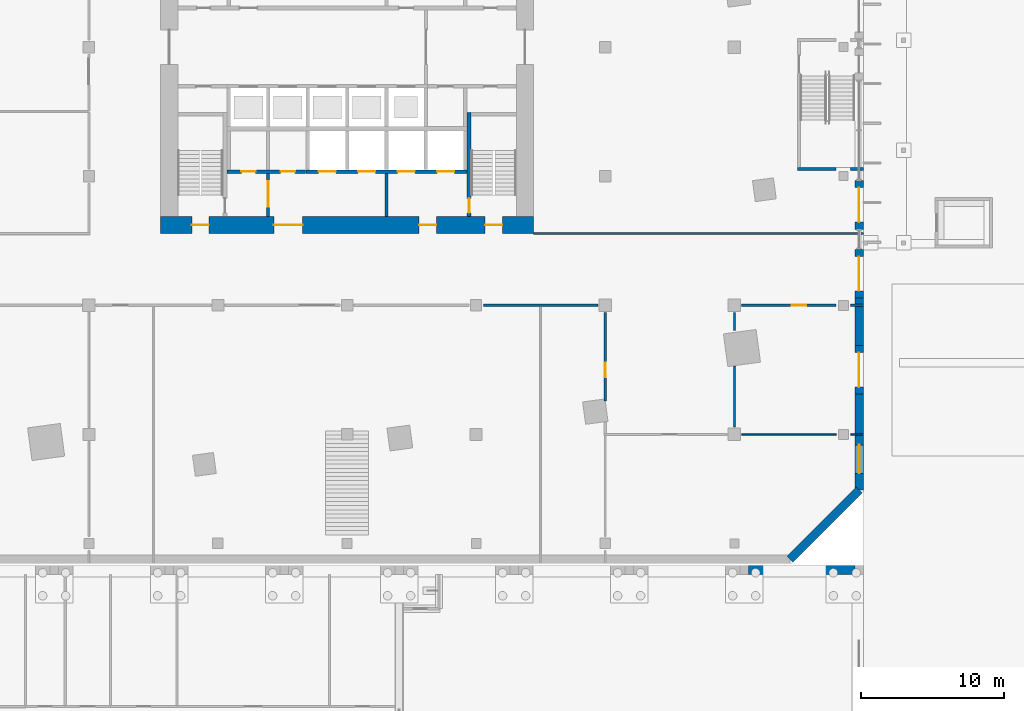
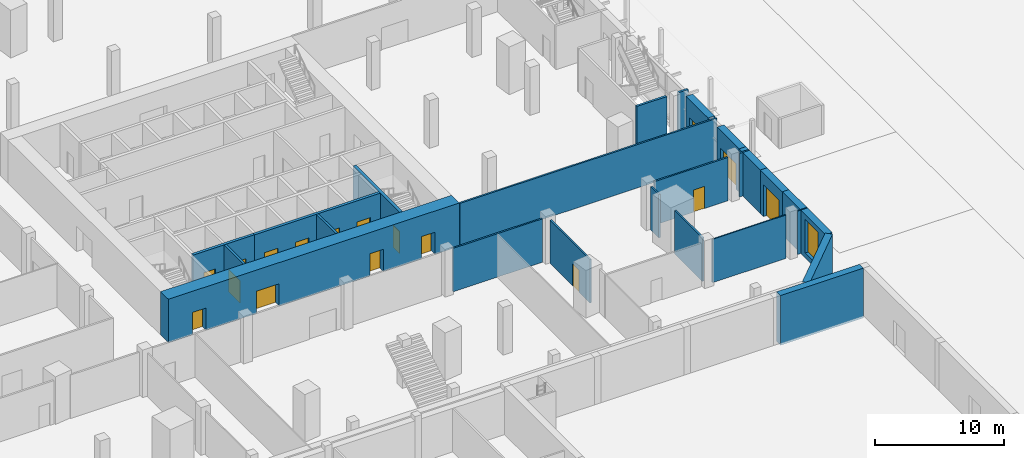
# One storey, part 27 of 42: 24 walls, 17 doors, 1 window, 18 openings.
"""IFC4 building model written with IfcOpenShell, lengths in metres."""

from ifc_helpers import new_model, si_unit, direction, frame, frame_2d, origin, place, context, subcontext, project, spatial, rectangle, extrude, material, layer, layer_set, type_object, element, fill, save


model = new_model("IFC4")

# Units and contexts
model_context = context("Model", 3, precision=1e-05, world=origin(), true_north=direction((0.0, 1.0)))
body_context = subcontext(model_context, "Body", "Model", "MODEL_VIEW")
ifc_project = project(units=[si_unit("LENGTHUNIT", "METRE"), si_unit("AREAUNIT", "SQUARE_METRE"), si_unit("VOLUMEUNIT", "CUBIC_METRE"), si_unit("PLANEANGLEUNIT", "RADIAN"), si_unit("MASSUNIT", "GRAM", prefix="KILO")], contexts=[model_context])

# Site, building, storey
site_placement = place(None, origin())
site = spatial("IfcSite", under=ifc_project, at=site_placement, CompositionType="ELEMENT")
building_placement = place(site_placement, origin())
building = spatial("IfcBuilding", under=site, at=building_placement, Name="Dilmun Exchange Tower", CompositionType="ELEMENT")
storey_placement = place(building_placement, origin())
storey = spatial("IfcBuildingStorey", under=building, at=storey_placement, Name="L00", CompositionType="ELEMENT", Elevation=0.0)

# Wall, opening, door
ifc_material_1 = material(Name="Concrete C40/50", Category="concrete")
ifc_layer_1 = layer(ifc_material_1, 0.199951171875)
ifc_layer_set_1 = layer_set([ifc_layer_1], Name="Concrete C40/50")
wall_type_1 = type_object("IfcWallType", Name="Core partition wall 200", PredefinedType="PARTITIONING", material=ifc_layer_set_1)
wall_1_placement = place(storey_placement, frame((-5.5, -11.794921875, 0.0), z_axis=(0.0, 0.0, 1.0), x_axis=(0.0, 1.0, 0.0)))
wall_1 = element("IfcWall", 1, at=wall_1_placement, inside=storey, type_object=wall_type_1, Name="L00 core partition wall 01", PredefinedType="PARTITIONING", context=body_context, shape_type="SweptSolid", body=[
    extrude(rectangle(XDim=2.989990234375, YDim=0.199951171875, at=frame_2d((1.4951171875, 0.0))), origin(), (0.0, 0.0, 1.0), 4.10009765625),
])
opening_1_placement = place(wall_1_placement, frame((0.657470703125, 0.0, 0.0)))
opening_1 = element("IfcOpeningElement", 2, at=opening_1_placement, cuts=wall_1, Name="Opening CD5", PredefinedType="OPENING", context=body_context, shape_type="SweptSolid", body=[
    extrude(rectangle(XDim=1.800048828125, YDim=2.10009765625, at=frame_2d((0.89990234375, 1.050048828125))), frame((0.0, 0.10986328125, 0.0), z_axis=(0.0, -1.0, 0.0), x_axis=(1.0, 0.0, 0.0)), (0.0, 0.0, 1.0), 0.219970703125),
])
ifc_material_2 = material(Name="Fire-rated steel door set", Category="steel")
door_type_1 = type_object("IfcDoorType", Name="Stair exit door 1800x2100", OperationType="SINGLE_SWING_LEFT", PredefinedType="DOOR", material=ifc_material_2)
door_1_placement = place(opening_1_placement, origin())
door_1 = element("IfcDoor", 3, at=door_1_placement, inside=storey, type_object=door_type_1, Name="L00 door Service lobby east", OperationType="SINGLE_SWING_LEFT", OverallHeight=2.10009765625, OverallWidth=1.800048828125, PredefinedType="DOOR", context=body_context, shape_type="SweptSolid", body=[
    extrude(rectangle(XDim=1.800048828125, YDim=2.10009765625, at=frame_2d((0.89990234375, 1.050048828125))), frame((0.0, 0.02490234375, 0.0), z_axis=(0.0, -1.0, 0.0), x_axis=(1.0, 0.0, 0.0)), (0.0, 0.0, 1.0), 0.050048828125),
])
fill(opening_1, door_1)

# Wall
wall_2_placement = place(storey_placement, frame((2.75, -11.794921875, 0.0), z_axis=(0.0, 0.0, 1.0), x_axis=(0.0, 1.0, 0.0)))
element("IfcWall", 4, at=wall_2_placement, inside=storey, type_object=wall_type_1, Name="L00 core partition wall 02", PredefinedType="PARTITIONING", context=body_context, shape_type="SweptSolid", body=[
    extrude(rectangle(XDim=2.989990234375, YDim=0.199951171875, at=frame_2d((1.4951171875, 0.0))), origin(), (0.0, 0.0, 1.0), 4.10009765625),
])

# Wall, openings, doors
ifc_layer_2 = layer(ifc_material_1, 0.25)
ifc_layer_set_2 = layer_set([ifc_layer_2], Name="Concrete C40/50")
wall_type_2 = type_object("IfcWallType", Name="Core partition wall 250", PredefinedType="PARTITIONING", material=ifc_layer_set_2)
wall_3_placement = place(storey_placement, frame((-8.3701171875, -8.675048828125, 0.0), z_axis=(0.0, 0.0, 1.0), x_axis=(1.0, 0.0, 0.0)))
wall_3 = element("IfcWall", 5, at=wall_3_placement, inside=storey, type_object=wall_type_2, Name="L00 core partition wall 03", PredefinedType="PARTITIONING", context=body_context, shape_type="SweptSolid", body=[
    extrude(rectangle(XDim=5.490234375, YDim=0.25, at=frame_2d((2.7451171875, 0.0))), origin(), (0.0, 0.0, 1.0), 4.10009765625),
])
opening_2_placement = place(wall_3_placement, frame((0.9951171875, 0.0, 0.0)))
opening_2 = element("IfcOpeningElement", 6, at=opening_2_placement, cuts=wall_3, Name="Opening CD4", PredefinedType="OPENING", context=body_context, shape_type="SweptSolid", body=[
    extrude(rectangle(XDim=1.0, YDim=2.10009765625, at=frame_2d((0.5, 1.050048828125))), frame((0.0, 0.135009765625, 0.0), z_axis=(0.0, -1.0, 0.0), x_axis=(1.0, 0.0, 0.0)), (0.0, 0.0, 1.0), 0.27001953125),
])
opening_3_placement = place(wall_3_placement, frame((3.7451171875, 0.0, 0.0)))
opening_3 = element("IfcOpeningElement", 7, at=opening_3_placement, cuts=wall_3, Name="Opening CD4", PredefinedType="OPENING", context=body_context, shape_type="SweptSolid", body=[
    extrude(rectangle(XDim=1.0, YDim=2.10009765625, at=frame_2d((0.5, 1.050048828125))), frame((0.0, 0.135009765625, 0.0), z_axis=(0.0, -1.0, 0.0), x_axis=(1.0, 0.0, 0.0)), (0.0, 0.0, 1.0), 0.27001953125),
])
door_type_2 = type_object("IfcDoorType", Name="Core room door 1000x2100", OperationType="SINGLE_SWING_LEFT", PredefinedType="DOOR", material=ifc_material_2)
door_2_placement = place(opening_2_placement, origin())
door_2 = element("IfcDoor", 8, at=door_2_placement, inside=storey, type_object=door_type_2, Name="L00 door Male WC", OperationType="SINGLE_SWING_LEFT", OverallHeight=2.10009765625, OverallWidth=1.0, PredefinedType="DOOR", context=body_context, shape_type="SweptSolid", body=[
    extrude(rectangle(XDim=1.0, YDim=2.10009765625, at=frame_2d((0.5, 1.050048828125))), frame((0.0, 0.02490234375, 0.0), z_axis=(0.0, -1.0, 0.0), x_axis=(1.0, 0.0, 0.0)), (0.0, 0.0, 1.0), 0.050048828125),
])
fill(opening_2, door_2)
door_3_placement = place(opening_3_placement, origin())
door_3 = element("IfcDoor", 9, at=door_3_placement, inside=storey, type_object=door_type_2, Name="L00 door Female WC", OperationType="SINGLE_SWING_LEFT", OverallHeight=2.10009765625, OverallWidth=1.0, PredefinedType="DOOR", context=body_context, shape_type="SweptSolid", body=[
    extrude(rectangle(XDim=1.0, YDim=2.10009765625, at=frame_2d((0.5, 1.050048828125))), frame((0.0, 0.02490234375, 0.0), z_axis=(0.0, -1.0, 0.0), x_axis=(1.0, 0.0, 0.0)), (0.0, 0.0, 1.0), 0.050048828125),
])
fill(opening_3, door_3)

ifc_material_3 = material(Name="Concrete C80/95", Category="concrete")
ifc_layer_3 = layer(ifc_material_3, 1.199951171875)
ifc_layer_set_3 = layer_set([ifc_layer_3], Name="Concrete C80/95")
wall_type_3 = type_object("IfcWallType", Name="Core shear wall 1200 Concrete C80/95", PredefinedType="SHEAR", material=ifc_layer_set_3)
wall_4_placement = place(storey_placement, frame((-13.0, -12.39990234375, 0.0), z_axis=(0.0, 0.0, 1.0), x_axis=(1.0, 0.0, 0.0)))
wall_4 = element("IfcWall", 10, at=wall_4_placement, inside=storey, type_object=wall_type_3, Name="L00 core shear wall S", PredefinedType="SHEAR", context=body_context, shape_type="SweptSolid", body=[
    extrude(rectangle(XDim=26.0, YDim=1.199951171875, at=frame_2d((13.0, 0.0))), origin(), (0.0, 0.0, 1.0), 4.10009765625),
])
opening_4_placement = place(wall_4_placement, frame((7.89990234375, 0.0, 0.0)))
opening_4 = element("IfcOpeningElement", 11, at=opening_4_placement, cuts=wall_4, Name="Opening CD2", PredefinedType="OPENING", context=body_context, shape_type="SweptSolid", body=[
    extrude(rectangle(XDim=2.0, YDim=2.10009765625, at=frame_2d((1.0, 1.050048828125))), frame((0.0, 0.60986328125, 0.0), z_axis=(0.0, -1.0, 0.0), x_axis=(1.0, 0.0, 0.0)), (0.0, 0.0, 1.0), 1.219970703125),
])
opening_5_placement = place(wall_4_placement, frame((18.02490234375, 0.0, 0.0)))
opening_5 = element("IfcOpeningElement", 12, at=opening_5_placement, cuts=wall_4, Name="Opening CD3", PredefinedType="OPENING", context=body_context, shape_type="SweptSolid", body=[
    extrude(rectangle(XDim=1.199951171875, YDim=2.10009765625, at=frame_2d((0.60009765625, 1.050048828125))), frame((0.0, 0.60986328125, 0.0), z_axis=(0.0, -1.0, 0.0), x_axis=(1.0, 0.0, 0.0)), (0.0, 0.0, 1.0), 1.219970703125),
])
opening_6_placement = place(wall_4_placement, frame((2.175048828125, 0.0, 0.0)))
opening_6 = element("IfcOpeningElement", 13, at=opening_6_placement, cuts=wall_4, Name="Opening CD3", PredefinedType="OPENING", context=body_context, shape_type="SweptSolid", body=[
    extrude(rectangle(XDim=1.199951171875, YDim=2.10009765625, at=frame_2d((0.60009765625, 1.050048828125))), frame((0.0, 0.60986328125, 0.0), z_axis=(0.0, -1.0, 0.0), x_axis=(1.0, 0.0, 0.0)), (0.0, 0.0, 1.0), 1.219970703125),
])
opening_7_placement = place(wall_4_placement, frame((22.625, 0.0, 0.0)))
opening_7 = element("IfcOpeningElement", 14, at=opening_7_placement, cuts=wall_4, Name="Opening CD3", PredefinedType="OPENING", context=body_context, shape_type="SweptSolid", body=[
    extrude(rectangle(XDim=1.199951171875, YDim=2.10009765625, at=frame_2d((0.60009765625, 1.050048828125))), frame((0.0, 0.60986328125, 0.0), z_axis=(0.0, -1.0, 0.0), x_axis=(1.0, 0.0, 0.0)), (0.0, 0.0, 1.0), 1.219970703125),
])
door_type_3 = type_object("IfcDoorType", Name="Core service door 2000x2100", OperationType="DOUBLE_DOOR_DOUBLE_SWING", PredefinedType="DOOR", material=ifc_material_2)
door_4_placement = place(opening_4_placement, origin())
door_4 = element("IfcDoor", 15, at=door_4_placement, inside=storey, type_object=door_type_3, Name="L00 door South service lobby", OperationType="SINGLE_SWING_LEFT", OverallHeight=2.10009765625, OverallWidth=2.0, PredefinedType="DOOR", context=body_context, shape_type="SweptSolid", body=[
    extrude(rectangle(XDim=2.0, YDim=2.10009765625, at=frame_2d((1.0, 1.050048828125))), frame((0.0, 0.02490234375, 0.0), z_axis=(0.0, -1.0, 0.0), x_axis=(1.0, 0.0, 0.0)), (0.0, 0.0, 1.0), 0.050048828125),
])
fill(opening_4, door_4)
door_type_4 = type_object("IfcDoorType", Name="Stair exit door 1200x2100", OperationType="SINGLE_SWING_LEFT", PredefinedType="DOOR", material=ifc_material_2)
door_5_placement = place(opening_5_placement, origin())
door_5 = element("IfcDoor", 16, at=door_5_placement, inside=storey, type_object=door_type_4, Name="L00 door Fire-fighting lobby", OperationType="SINGLE_SWING_LEFT", OverallHeight=2.10009765625, OverallWidth=1.199951171875, PredefinedType="DOOR", context=body_context, shape_type="SweptSolid", body=[
    extrude(rectangle(XDim=1.199951171875, YDim=2.10009765625, at=frame_2d((0.60009765625, 1.050048828125))), frame((0.0, 0.02490234375, 0.0), z_axis=(0.0, -1.0, 0.0), x_axis=(1.0, 0.0, 0.0)), (0.0, 0.0, 1.0), 0.050048828125),
])
fill(opening_5, door_5)
door_6_placement = place(opening_6_placement, origin())
door_6 = element("IfcDoor", 17, at=door_6_placement, inside=storey, type_object=door_type_4, Name="L00 door Stair ST2", OperationType="SINGLE_SWING_LEFT", OverallHeight=2.10009765625, OverallWidth=1.199951171875, PredefinedType="DOOR", context=body_context, shape_type="SweptSolid", body=[
    extrude(rectangle(XDim=1.199951171875, YDim=2.10009765625, at=frame_2d((0.60009765625, 1.050048828125))), frame((0.0, 0.02490234375, 0.0), z_axis=(0.0, -1.0, 0.0), x_axis=(1.0, 0.0, 0.0)), (0.0, 0.0, 1.0), 0.050048828125),
])
fill(opening_6, door_6)
door_7_placement = place(opening_7_placement, origin())
door_7 = element("IfcDoor", 18, at=door_7_placement, inside=storey, type_object=door_type_4, Name="L00 door Stair ST3", OperationType="SINGLE_SWING_LEFT", OverallHeight=2.10009765625, OverallWidth=1.199951171875, PredefinedType="DOOR", context=body_context, shape_type="SweptSolid", body=[
    extrude(rectangle(XDim=1.199951171875, YDim=2.10009765625, at=frame_2d((0.60009765625, 1.050048828125))), frame((0.0, 0.02490234375, 0.0), z_axis=(0.0, -1.0, 0.0), x_axis=(1.0, 0.0, 0.0)), (0.0, 0.0, 1.0), 0.050048828125),
])
fill(opening_7, door_7)

# Wall
ifc_material_4 = material(Name="Fire partition EI 60 150 gypsum")
ifc_layer_4 = layer(ifc_material_4, 0.14990234375)
ifc_layer_set_4 = layer_set([ifc_layer_4], Name="Fire partition EI 60 150 gypsum")
wall_type_4 = type_object("IfcWallType", Name="Fire partition EI 60 150 gypsum", PredefinedType="PARTITIONING", material=ifc_layer_set_4)
wall_5_placement = place(storey_placement, frame((9.5, -18.0, 0.0), z_axis=(0.0, 0.0, 1.0), x_axis=(1.0, 0.0, 0.0)))
element("IfcWall", 19, at=wall_5_placement, inside=storey, type_object=wall_type_4, Name="L00 partition", PredefinedType="PARTITIONING", context=body_context, shape_type="SweptSolid", body=[
    extrude(rectangle(XDim=8.0, YDim=0.14990234375, at=frame_2d((4.0, 0.0))), origin(), (0.0, 0.0, 1.0), 4.10009765625),
])

# Wall, opening, door
wall_6_placement = place(storey_placement, frame((27.5, -18.0, 0.0), z_axis=(0.0, 0.0, 1.0), x_axis=(1.0, 0.0, 0.0)))
wall_6 = element("IfcWall", 20, at=wall_6_placement, inside=storey, type_object=wall_type_4, Name="L00 partition", PredefinedType="PARTITIONING", context=body_context, shape_type="SweptSolid", body=[
    extrude(rectangle(XDim=6.60009765625, YDim=0.14990234375, at=frame_2d((3.300048828125, 0.0))), origin(), (0.0, 0.0, 1.0), 4.10009765625),
])
opening_8_placement = place(wall_6_placement, frame((3.5, 0.0, 0.0)))
opening_8 = element("IfcOpeningElement", 21, at=opening_8_placement, cuts=wall_6, Name="Opening L00-D020", PredefinedType="OPENING", context=body_context, shape_type="SweptSolid", body=[
    extrude(rectangle(XDim=1.0, YDim=2.10009765625, at=frame_2d((0.5, 1.050048828125))), frame((0.0, 0.0849609375, 0.0), z_axis=(0.0, -1.0, 0.0), x_axis=(1.0, 0.0, 0.0)), (0.0, 0.0, 1.0), 0.169921875),
])
ifc_material_5 = material(Name="Fire door FD60 1000 x 2100")
door_type_5 = type_object("IfcDoorType", Name="Fire door FD60 1000 x 2100", OperationType="SINGLE_SWING_LEFT", PredefinedType="DOOR", material=ifc_material_5)
door_8_placement = place(opening_8_placement, origin())
door_8 = element("IfcDoor", 22, at=door_8_placement, inside=storey, type_object=door_type_5, Name="L00 door L00-D020", OperationType="SINGLE_SWING_RIGHT", OverallHeight=2.10009765625, OverallWidth=1.0, PredefinedType="DOOR", context=body_context, shape_type="SweptSolid", body=[
    extrude(rectangle(XDim=1.0, YDim=2.10009765625, at=frame_2d((0.5, 1.050048828125))), frame((0.0, 0.02490234375, 0.0), z_axis=(0.0, -1.0, 0.0), x_axis=(1.0, 0.0, 0.0)), (0.0, 0.0, 1.0), 0.050048828125),
])
fill(opening_8, door_8)

# Walls
wall_7_placement = place(storey_placement, frame((35.10009765625, -18.0, 0.0), z_axis=(0.0, 0.0, 1.0), x_axis=(1.0, 0.0, 0.0)))
element("IfcWall", 23, at=wall_7_placement, inside=storey, type_object=wall_type_4, Name="L00 partition", PredefinedType="PARTITIONING", context=body_context, shape_type="SweptSolid", body=[
    extrude(rectangle(XDim=0.89990234375, YDim=0.14990234375, at=frame_2d((0.449951171875, 0.0))), origin(), (0.0, 0.0, 1.0), 4.10009765625),
])
wall_8_placement = place(storey_placement, frame((13.0, -13.0, 0.0), z_axis=(0.0, 0.0, 1.0), x_axis=(1.0, 0.0, 0.0)))
element("IfcWall", 24, at=wall_8_placement, inside=storey, type_object=wall_type_4, Name="L00 partition", PredefinedType="PARTITIONING", context=body_context, shape_type="SweptSolid", body=[
    extrude(rectangle(XDim=23.0, YDim=0.14990234375, at=frame_2d((11.5, 0.0))), origin(), (0.0, 0.0, 1.0), 4.10009765625),
])

# Wall, opening, door
wall_9_placement = place(storey_placement, frame((18.0, -24.680908203125, 0.0), z_axis=(0.0, 0.0, 1.0), x_axis=(0.0, 1.0, 0.0)))
wall_9 = element("IfcWall", 25, at=wall_9_placement, inside=storey, type_object=wall_type_4, Name="L00 partition", PredefinedType="PARTITIONING", context=body_context, shape_type="SweptSolid", body=[
    extrude(rectangle(XDim=6.180908203125, YDim=0.14990234375, at=frame_2d((3.09033203125, 0.0))), origin(), (0.0, 0.0, 1.0), 4.10009765625),
])
opening_9_placement = place(wall_9_placement, frame((1.680908203125, 0.0, 0.0)))
opening_9 = element("IfcOpeningElement", 26, at=opening_9_placement, cuts=wall_9, Name="Opening L00-D018", PredefinedType="OPENING", context=body_context, shape_type="SweptSolid", body=[
    extrude(rectangle(XDim=1.0, YDim=2.10009765625, at=frame_2d((0.5, 1.050048828125))), frame((0.0, 0.0849609375, 0.0), z_axis=(0.0, -1.0, 0.0), x_axis=(1.0, 0.0, 0.0)), (0.0, 0.0, 1.0), 0.169921875),
])
door_9_placement = place(opening_9_placement, origin())
door_9 = element("IfcDoor", 27, at=door_9_placement, inside=storey, type_object=door_type_5, Name="L00 door L00-D018", OperationType="SINGLE_SWING_RIGHT", OverallHeight=2.10009765625, OverallWidth=1.0, PredefinedType="DOOR", context=body_context, shape_type="SweptSolid", body=[
    extrude(rectangle(XDim=1.0, YDim=2.10009765625, at=frame_2d((0.5, 1.050048828125))), frame((0.0, 0.02490234375, 0.0), z_axis=(0.0, -1.0, 0.0), x_axis=(1.0, 0.0, 0.0)), (0.0, 0.0, 1.0), 0.050048828125),
])
fill(opening_9, door_9)

# Walls
wall_10_placement = place(storey_placement, frame((27.0, -26.5, 0.0), z_axis=(0.0, 0.0, 1.0), x_axis=(0.0, 1.0, 0.0)))
element("IfcWall", 28, at=wall_10_placement, inside=storey, type_object=wall_type_4, Name="L00 partition", PredefinedType="PARTITIONING", context=body_context, shape_type="SweptSolid", body=[
    extrude(rectangle(XDim=4.28369140625, YDim=0.14990234375, at=frame_2d((2.141845703125, 0.0))), origin(), (0.0, 0.0, 1.0), 4.10009765625),
])
wall_11_placement = place(storey_placement, frame((27.0, -19.74169921875, 0.0), z_axis=(0.0, 0.0, 1.0), x_axis=(0.0, 1.0, 0.0)))
element("IfcWall", 29, at=wall_11_placement, inside=storey, type_object=wall_type_4, Name="L00 partition", PredefinedType="PARTITIONING", context=body_context, shape_type="SweptSolid", body=[
    extrude(rectangle(XDim=1.24169921875, YDim=0.14990234375, at=frame_2d((0.620849609375, 0.0))), origin(), (0.0, 0.0, 1.0), 4.10009765625),
])
ifc_material_6 = material(Name="Fire wall EI 120 200 blockwork", Category="masonry")
ifc_layer_5 = layer(ifc_material_6, 0.199951171875)
ifc_layer_set_5 = layer_set([ifc_layer_5], Name="Fire wall EI 120 200 blockwork")
wall_type_5 = type_object("IfcWallType", Name="Fire wall EI 120 200 blockwork", PredefinedType="PARTITIONING", material=ifc_layer_set_5)
wall_12_placement = place(storey_placement, frame((31.39990234375, -8.5, 0.0), z_axis=(0.0, 0.0, 1.0), x_axis=(1.0, 0.0, 0.0)))
element("IfcWall", 30, at=wall_12_placement, inside=storey, type_object=wall_type_5, Name="L00 stair wall", PredefinedType="PARTITIONING", context=body_context, shape_type="SweptSolid", body=[
    extrude(rectangle(XDim=2.7001953125, YDim=0.199951171875, at=frame_2d((1.35009765625, 0.0))), origin(), (0.0, 0.0, 1.0), 4.10009765625),
])
wall_13_placement = place(storey_placement, frame((35.10009765625, -8.5, 0.0), z_axis=(0.0, 0.0, 1.0), x_axis=(1.0, 0.0, 0.0)))
element("IfcWall", 31, at=wall_13_placement, inside=storey, type_object=wall_type_5, Name="L00 stair wall", PredefinedType="PARTITIONING", context=body_context, shape_type="SweptSolid", body=[
    extrude(rectangle(XDim=0.89990234375, YDim=0.199951171875, at=frame_2d((0.449951171875, 0.0))), origin(), (0.0, 0.0, 1.0), 4.10009765625),
])

# Wall, openings, doors
ifc_layer_6 = layer(ifc_material_1, 0.25)
ifc_layer_set_6 = layer_set([ifc_layer_6], Name="Concrete C40/50")
wall_type_6 = type_object("IfcWallType", Name="Lift shaft wall 250", PredefinedType="SOLIDWALL", material=ifc_layer_set_6)
wall_14_placement = place(storey_placement, frame((-2.875, -8.675048828125, 0.0), z_axis=(0.0, 0.0, 1.0), x_axis=(1.0, 0.0, 0.0)))
wall_14 = element("IfcWall", 32, at=wall_14_placement, inside=storey, type_object=wall_type_6, Name="L00 lift shaft front wall S2", PredefinedType="SOLIDWALL", context=body_context, shape_type="SweptSolid", body=[
    extrude(rectangle(XDim=11.25, YDim=0.25, at=frame_2d((5.625, 0.0))), origin(), (0.0, 0.0, 1.0), 4.10009765625),
])
opening_10_placement = place(wall_14_placement, frame((0.89990234375, 0.0, 0.0)))
opening_10 = element("IfcOpeningElement", 33, at=opening_10_placement, cuts=wall_14, Name="Opening LD", PredefinedType="OPENING", context=body_context, shape_type="SweptSolid", body=[
    extrude(rectangle(XDim=1.199951171875, YDim=2.10009765625, at=frame_2d((0.60009765625, 1.050048828125))), frame((0.0, 0.135009765625, 0.0), z_axis=(0.0, -1.0, 0.0), x_axis=(1.0, 0.0, 0.0)), (0.0, 0.0, 1.0), 0.27001953125),
])
opening_11_placement = place(wall_14_placement, frame((3.64990234375, 0.0, 0.0)))
opening_11 = element("IfcOpeningElement", 34, at=opening_11_placement, cuts=wall_14, Name="Opening LD", PredefinedType="OPENING", context=body_context, shape_type="SweptSolid", body=[
    extrude(rectangle(XDim=1.199951171875, YDim=2.10009765625, at=frame_2d((0.60009765625, 1.050048828125))), frame((0.0, 0.135009765625, 0.0), z_axis=(0.0, -1.0, 0.0), x_axis=(1.0, 0.0, 0.0)), (0.0, 0.0, 1.0), 0.27001953125),
])
opening_12_placement = place(wall_14_placement, frame((6.39990234375, 0.0, 0.0)))
opening_12 = element("IfcOpeningElement", 35, at=opening_12_placement, cuts=wall_14, Name="Opening LD", PredefinedType="OPENING", context=body_context, shape_type="SweptSolid", body=[
    extrude(rectangle(XDim=1.199951171875, YDim=2.10009765625, at=frame_2d((0.60009765625, 1.050048828125))), frame((0.0, 0.135009765625, 0.0), z_axis=(0.0, -1.0, 0.0), x_axis=(1.0, 0.0, 0.0)), (0.0, 0.0, 1.0), 0.27001953125),
])
opening_13_placement = place(wall_14_placement, frame((9.14990234375, 0.0, 0.0)))
opening_13 = element("IfcOpeningElement", 36, at=opening_13_placement, cuts=wall_14, Name="Opening LD", PredefinedType="OPENING", context=body_context, shape_type="SweptSolid", body=[
    extrude(rectangle(XDim=1.199951171875, YDim=2.10009765625, at=frame_2d((0.60009765625, 1.050048828125))), frame((0.0, 0.135009765625, 0.0), z_axis=(0.0, -1.0, 0.0), x_axis=(1.0, 0.0, 0.0)), (0.0, 0.0, 1.0), 0.27001953125),
])
door_type_6 = type_object("IfcDoorType", Name="Lift landing door 1200x2100", OperationType="DOUBLE_DOOR_SLIDING", PredefinedType="DOOR", material=ifc_material_2)
door_10_placement = place(opening_10_placement, origin())
door_10 = element("IfcDoor", 37, at=door_10_placement, inside=storey, type_object=door_type_6, Name="L00 landing door SV1", OperationType="DOUBLE_DOOR_SLIDING", OverallHeight=2.10009765625, OverallWidth=1.199951171875, PredefinedType="DOOR", context=body_context, shape_type="SweptSolid", body=[
    extrude(rectangle(XDim=1.199951171875, YDim=2.10009765625, at=frame_2d((0.60009765625, 1.050048828125))), frame((0.0, 0.02490234375, 0.0), z_axis=(0.0, -1.0, 0.0), x_axis=(1.0, 0.0, 0.0)), (0.0, 0.0, 1.0), 0.050048828125),
])
fill(opening_10, door_10)
door_11_placement = place(opening_11_placement, origin())
door_11 = element("IfcDoor", 38, at=door_11_placement, inside=storey, type_object=door_type_6, Name="L00 landing door SV2", OperationType="DOUBLE_DOOR_SLIDING", OverallHeight=2.10009765625, OverallWidth=1.199951171875, PredefinedType="DOOR", context=body_context, shape_type="SweptSolid", body=[
    extrude(rectangle(XDim=1.199951171875, YDim=2.10009765625, at=frame_2d((0.60009765625, 1.050048828125))), frame((0.0, 0.02490234375, 0.0), z_axis=(0.0, -1.0, 0.0), x_axis=(1.0, 0.0, 0.0)), (0.0, 0.0, 1.0), 0.050048828125),
])
fill(opening_11, door_11)
door_12_placement = place(opening_12_placement, origin())
door_12 = element("IfcDoor", 39, at=door_12_placement, inside=storey, type_object=door_type_6, Name="L00 landing door FF1", OperationType="DOUBLE_DOOR_SLIDING", OverallHeight=2.10009765625, OverallWidth=1.199951171875, PredefinedType="DOOR", context=body_context, shape_type="SweptSolid", body=[
    extrude(rectangle(XDim=1.199951171875, YDim=2.10009765625, at=frame_2d((0.60009765625, 1.050048828125))), frame((0.0, 0.02490234375, 0.0), z_axis=(0.0, -1.0, 0.0), x_axis=(1.0, 0.0, 0.0)), (0.0, 0.0, 1.0), 0.050048828125),
])
fill(opening_12, door_12)
door_13_placement = place(opening_13_placement, origin())
door_13 = element("IfcDoor", 40, at=door_13_placement, inside=storey, type_object=door_type_6, Name="L00 landing door FF2", OperationType="DOUBLE_DOOR_SLIDING", OverallHeight=2.10009765625, OverallWidth=1.199951171875, PredefinedType="DOOR", context=body_context, shape_type="SweptSolid", body=[
    extrude(rectangle(XDim=1.199951171875, YDim=2.10009765625, at=frame_2d((0.60009765625, 1.050048828125))), frame((0.0, 0.02490234375, 0.0), z_axis=(0.0, -1.0, 0.0), x_axis=(1.0, 0.0, 0.0)), (0.0, 0.0, 1.0), 0.050048828125),
])
fill(opening_13, door_13)

# Walls
ifc_material_7 = material(Name="Partition 100 gypsum")
ifc_layer_7 = layer(ifc_material_7, 0.10009765625)
ifc_layer_set_7 = layer_set([ifc_layer_7], Name="Partition 100 gypsum")
wall_type_7 = type_object("IfcWallType", Name="Partition 100 gypsum", PredefinedType="PARTITIONING", material=ifc_layer_set_7)
wall_15_placement = place(storey_placement, frame((27.5, -27.0, 0.0), z_axis=(0.0, 0.0, 1.0), x_axis=(1.0, 0.0, 0.0)))
element("IfcWall", 41, at=wall_15_placement, inside=storey, type_object=wall_type_7, Name="L00 partition", PredefinedType="PARTITIONING", context=body_context, shape_type="SweptSolid", body=[
    extrude(rectangle(XDim=6.60009765625, YDim=0.10009765625, at=frame_2d((3.300048828125, 0.0))), origin(), (0.0, 0.0, 1.0), 4.10009765625),
])
wall_16_placement = place(storey_placement, frame((35.10009765625, -27.0, 0.0), z_axis=(0.0, 0.0, 1.0), x_axis=(1.0, 0.0, 0.0)))
element("IfcWall", 42, at=wall_16_placement, inside=storey, type_object=wall_type_7, Name="L00 partition", PredefinedType="PARTITIONING", context=body_context, shape_type="SweptSolid", body=[
    extrude(rectangle(XDim=0.89990234375, YDim=0.10009765625, at=frame_2d((0.449951171875, 0.0))), origin(), (0.0, 0.0, 1.0), 4.10009765625),
])
ifc_material_8 = material(Name="Precast concrete C50/60", Category="concrete")
ifc_layer_8 = layer(ifc_material_8, 0.60009765625)
ifc_layer_set_8 = layer_set([ifc_layer_8], Name="Precast concrete C50/60")
wall_type_8 = type_object("IfcWallType", Name="Precast stone-clad wall 600", PredefinedType="STANDARD", material=ifc_layer_set_8)
wall_17_placement = place(storey_placement, frame((30.875732421875, -35.699951171875, 0.0), z_axis=(0.0, 0.0, 1.0), x_axis=(0.707106781187, 0.707106781187, 0.0)))
element("IfcWall", 43, at=wall_17_placement, inside=storey, type_object=wall_type_8, Name="Facade wall L00-01-0", PredefinedType="STANDARD", context=body_context, shape_type="SweptSolid", body=[
    extrude(rectangle(XDim=6.822509765625, YDim=0.60009765625, at=frame_2d((3.4111328125, 0.0))), origin(), (0.0, 0.0, 1.0), 4.10009765625),
])

# Wall, opening, window
wall_18_placement = place(storey_placement, frame((35.699951171875, -30.875732421875, 0.0), z_axis=(0.0, 0.0, 1.0), x_axis=(0.0, 1.0, 0.0)))
wall_18 = element("IfcWall", 44, at=wall_18_placement, inside=storey, type_object=wall_type_8, Name="Facade wall L00-02-0", PredefinedType="STANDARD", context=body_context, shape_type="SweptSolid", body=[
    extrude(rectangle(XDim=6.67578125, YDim=0.60009765625, at=frame_2d((3.337890625, 0.0))), origin(), (0.0, 0.0, 1.0), 4.10009765625),
])
opening_14_placement = place(wall_18_placement, frame((1.152099609375, 0.0, 0.449951171875)))
opening_14 = element("IfcOpeningElement", 45, at=opening_14_placement, cuts=wall_18, Name="Opening SF200-320", PredefinedType="OPENING", context=body_context, shape_type="SweptSolid", body=[
    extrude(rectangle(XDim=2.0, YDim=3.199951171875, at=frame_2d((1.0, 1.60009765625))), frame((0.0, 0.31005859375, 0.0), z_axis=(0.0, -1.0, 0.0), x_axis=(1.0, 0.0, 0.0)), (0.0, 0.0, 1.0), 0.6201171875),
])
ifc_material_9 = material(Name="Clear low-emissivity glass in aluminium frame", Category="aluminium")
window_type = type_object("IfcWindowType", Name="Shopfront window 2000 x 3200", PartitioningType="DOUBLE_PANEL_VERTICAL", PredefinedType="WINDOW", material=ifc_material_9)
window_placement = place(opening_14_placement, origin())
window = element("IfcWindow", 46, at=window_placement, inside=storey, type_object=window_type, Name="Window 3.1", OverallHeight=3.199951171875, OverallWidth=2.0, PartitioningType="SINGLE_PANEL", PredefinedType="WINDOW", context=body_context, shape_type="SweptSolid", body=[
    extrude(rectangle(XDim=2.0, YDim=3.199951171875, at=frame_2d((1.0, 1.60009765625))), frame((0.0, 0.030029296875, 0.0), z_axis=(0.0, -1.0, 0.0), x_axis=(1.0, 0.0, 0.0)), (0.0, 0.0, 1.0), 0.06005859375),
])
fill(opening_14, window)

# Wall, opening, door
wall_19_placement = place(storey_placement, frame((35.699951171875, -24.199951171875, 0.0), z_axis=(0.0, 0.0, 1.0), x_axis=(0.0, 1.0, 0.0)))
wall_19 = element("IfcWall", 47, at=wall_19_placement, inside=storey, type_object=wall_type_8, Name="Facade wall L00-02-1", PredefinedType="STANDARD", context=body_context, shape_type="SweptSolid", body=[
    extrude(rectangle(XDim=3.39990234375, YDim=0.60009765625, at=frame_2d((1.699951171875, 0.0))), origin(), (0.0, 0.0, 1.0), 4.10009765625),
])
opening_15_placement = place(wall_19_placement, frame((0.5, 0.0, 0.0)))
opening_15 = element("IfcOpeningElement", 48, at=opening_15_placement, cuts=wall_19, Name="Opening RS1", PredefinedType="OPENING", context=body_context, shape_type="SweptSolid", body=[
    extrude(rectangle(XDim=2.39990234375, YDim=3.0, at=frame_2d((1.199951171875, 1.5))), frame((0.0, 0.31005859375, 0.0), z_axis=(0.0, -1.0, 0.0), x_axis=(1.0, 0.0, 0.0)), (0.0, 0.0, 1.0), 0.6201171875),
])
door_type_7 = type_object("IfcDoorType", Name="Roller shutter service door 2400 x 3000", OperationType="ROLLINGUP", PredefinedType="DOOR", material=ifc_material_9)
door_14_placement = place(opening_15_placement, origin())
door_14 = element("IfcDoor", 49, at=door_14_placement, inside=storey, type_object=door_type_7, Name="Door X-GR service", OperationType="ROLLINGUP", OverallHeight=3.0, OverallWidth=2.39990234375, PredefinedType="DOOR", context=body_context, shape_type="SweptSolid", body=[
    extrude(rectangle(XDim=2.39990234375, YDim=3.0, at=frame_2d((1.199951171875, 1.5))), frame((0.0, 0.02490234375, 0.0), z_axis=(0.0, -1.0, 0.0), x_axis=(1.0, 0.0, 0.0)), (0.0, 0.0, 1.0), 0.050048828125),
])
fill(opening_15, door_14)

# Wall
wall_20_placement = place(storey_placement, frame((35.699951171875, -20.800048828125, 0.0), z_axis=(0.0, 0.0, 1.0), x_axis=(0.0, 1.0, 0.0)))
element("IfcWall", 50, at=wall_20_placement, inside=storey, type_object=wall_type_8, Name="Facade wall L00-02-2", PredefinedType="STANDARD", context=body_context, shape_type="SweptSolid", body=[
    extrude(rectangle(XDim=3.300048828125, YDim=0.60009765625, at=frame_2d((1.64990234375, 0.0))), origin(), (0.0, 0.0, 1.0), 4.10009765625),
])

# Wall, opening, door
wall_21_placement = place(storey_placement, frame((35.699951171875, -14.10009765625, 0.0), z_axis=(0.0, 0.0, 1.0), x_axis=(0.0, -1.0, 0.0)))
wall_21 = element("IfcWall", 51, at=wall_21_placement, inside=storey, type_object=wall_type_8, Name="Facade wall L00-02-3", PredefinedType="STANDARD", context=body_context, shape_type="SweptSolid", body=[
    extrude(rectangle(XDim=3.39990234375, YDim=0.60009765625, at=frame_2d((1.699951171875, 0.0))), origin(), (0.0, 0.0, 1.0), 4.10009765625),
])
opening_16_placement = place(wall_21_placement, frame((0.5, 0.0, 0.0)))
opening_16 = element("IfcOpeningElement", 52, at=opening_16_placement, cuts=wall_21, Name="Opening XD2", PredefinedType="OPENING", context=body_context, shape_type="SweptSolid", body=[
    extrude(rectangle(XDim=2.39990234375, YDim=2.39990234375, at=frame_2d((1.199951171875, 1.199951171875))), frame((0.0, 0.31005859375, 0.0), z_axis=(0.0, -1.0, 0.0), x_axis=(1.0, 0.0, 0.0)), (0.0, 0.0, 1.0), 0.6201171875),
])
door_type_8 = type_object("IfcDoorType", Name="Glazed exit door pair 2400 x 2400", OperationType="DOUBLE_DOOR_SINGLE_SWING", PredefinedType="DOOR", material=ifc_material_9)
door_15_placement = place(opening_16_placement, origin())
door_15 = element("IfcDoor", 53, at=door_15_placement, inside=storey, type_object=door_type_8, Name="Door X-GS stair discharge", OperationType="DOUBLE_DOOR_SINGLE_SWING", OverallHeight=2.39990234375, OverallWidth=2.39990234375, PredefinedType="DOOR", context=body_context, shape_type="SweptSolid", body=[
    extrude(rectangle(XDim=2.39990234375, YDim=2.39990234375, at=frame_2d((1.199951171875, 1.199951171875))), frame((0.0, 0.02490234375, 0.0), z_axis=(0.0, -1.0, 0.0), x_axis=(1.0, 0.0, 0.0)), (0.0, 0.0, 1.0), 0.050048828125),
])
fill(opening_16, door_15)

wall_22_placement = place(storey_placement, frame((35.699951171875, -9.300048828125, 0.0), z_axis=(0.0, 0.0, 1.0), x_axis=(0.0, -1.0, 0.0)))
wall_22 = element("IfcWall", 54, at=wall_22_placement, inside=storey, type_object=wall_type_8, Name="Facade wall L00-02-5", PredefinedType="STANDARD", context=body_context, shape_type="SweptSolid", body=[
    extrude(rectangle(XDim=3.39990234375, YDim=0.60009765625, at=frame_2d((1.699951171875, 0.0))), origin(), (0.0, 0.0, 1.0), 4.10009765625),
])
opening_17_placement = place(wall_22_placement, frame((0.5, 0.0, 0.0)))
opening_17 = element("IfcOpeningElement", 55, at=opening_17_placement, cuts=wall_22, Name="Opening ED1", PredefinedType="OPENING", context=body_context, shape_type="SweptSolid", body=[
    extrude(rectangle(XDim=2.39990234375, YDim=2.39990234375, at=frame_2d((1.199951171875, 1.199951171875))), frame((0.0, 0.31005859375, 0.0), z_axis=(0.0, -1.0, 0.0), x_axis=(1.0, 0.0, 0.0)), (0.0, 0.0, 1.0), 0.6201171875),
])
door_type_9 = type_object("IfcDoorType", Name="Glazed entrance door pair 2400 x 2400", OperationType="DOUBLE_DOOR_SINGLE_SWING", PredefinedType="DOOR", material=ifc_material_9)
door_16_placement = place(opening_17_placement, origin())
door_16 = element("IfcDoor", 56, at=door_16_placement, inside=storey, type_object=door_type_9, Name="Door X-EL-2 entrance", OperationType="DOUBLE_DOOR_SINGLE_SWING", OverallHeight=2.39990234375, OverallWidth=2.39990234375, PredefinedType="DOOR", context=body_context, shape_type="SweptSolid", body=[
    extrude(rectangle(XDim=2.39990234375, YDim=2.39990234375, at=frame_2d((1.199951171875, 1.199951171875))), frame((0.0, 0.02490234375, 0.0), z_axis=(0.0, -1.0, 0.0), x_axis=(1.0, 0.0, 0.0)), (0.0, 0.0, 1.0), 0.050048828125),
])
fill(opening_17, door_16)

# Wall
ifc_layer_9 = layer(ifc_material_1, 0.60009765625)
ifc_layer_set_9 = layer_set([ifc_layer_9], Name="Concrete C40/50")
wall_type_9 = type_object("IfcWallType", Name="School sports hall wall 600 C40/50", PredefinedType="SOLIDWALL", material=ifc_layer_set_9)
wall_23_placement = place(storey_placement, frame((27.9833984375, -36.449951171875, -0.199951171875), z_axis=(0.0, 0.0, 1.0), x_axis=(1.0, 0.0, 0.0)))
element("IfcWall", 57, at=wall_23_placement, inside=storey, type_object=wall_type_9, Name="School external wall", PredefinedType="SOLIDWALL", context=body_context, shape_type="SweptSolid", body=[
    extrude(rectangle(XDim=7.41650390625, YDim=0.60009765625, at=frame_2d((3.708251953125, 0.0))), origin(), (0.0, 0.0, 1.0), 4.699951171875),
])

# Wall, opening, door
ifc_layer_10 = layer(ifc_material_1, 0.27490234375)
ifc_layer_set_10 = layer_set([ifc_layer_10], Name="Concrete C40/50")
wall_type_10 = type_object("IfcWallType", Name="Stair wall 275", PredefinedType="SOLIDWALL", material=ifc_layer_set_10)
wall_24_placement = place(storey_placement, frame((8.512451171875, -4.550048828125, 0.0), z_axis=(0.0, 0.0, 1.0), x_axis=(0.0, -1.0, 0.0)))
wall_24 = element("IfcWall", 58, at=wall_24_placement, inside=storey, type_object=wall_type_10, Name="L00 ST3 wall to lift block", PredefinedType="SOLIDWALL", context=body_context, shape_type="SweptSolid", body=[
    extrude(rectangle(XDim=7.25, YDim=0.27490234375, at=frame_2d((3.625, 0.0))), origin(), (0.0, 0.0, 1.0), 4.10009765625),
])
opening_18_placement = place(wall_24_placement, frame((6.0, 0.0, 0.0)))
opening_18 = element("IfcOpeningElement", 59, at=opening_18_placement, cuts=wall_24, Name="Opening CD4", PredefinedType="OPENING", context=body_context, shape_type="SweptSolid", body=[
    extrude(rectangle(XDim=1.0, YDim=2.10009765625, at=frame_2d((0.5, 1.050048828125))), frame((0.0, 0.1474609375, 0.0), z_axis=(0.0, -1.0, 0.0), x_axis=(1.0, 0.0, 0.0)), (0.0, 0.0, 1.0), 0.294921875),
])
door_17_placement = place(opening_18_placement, origin())
door_17 = element("IfcDoor", 60, at=door_17_placement, inside=storey, type_object=door_type_2, Name="L00 door ST3 from lobby", OperationType="SINGLE_SWING_LEFT", OverallHeight=2.10009765625, OverallWidth=1.0, PredefinedType="DOOR", context=body_context, shape_type="SweptSolid", body=[
    extrude(rectangle(XDim=1.0, YDim=2.10009765625, at=frame_2d((0.5, 1.050048828125))), frame((0.0, 0.02490234375, 0.0), z_axis=(0.0, -1.0, 0.0), x_axis=(1.0, 0.0, 0.0)), (0.0, 0.0, 1.0), 0.050048828125),
])
fill(opening_18, door_17)

save(model, "model.ifc")
